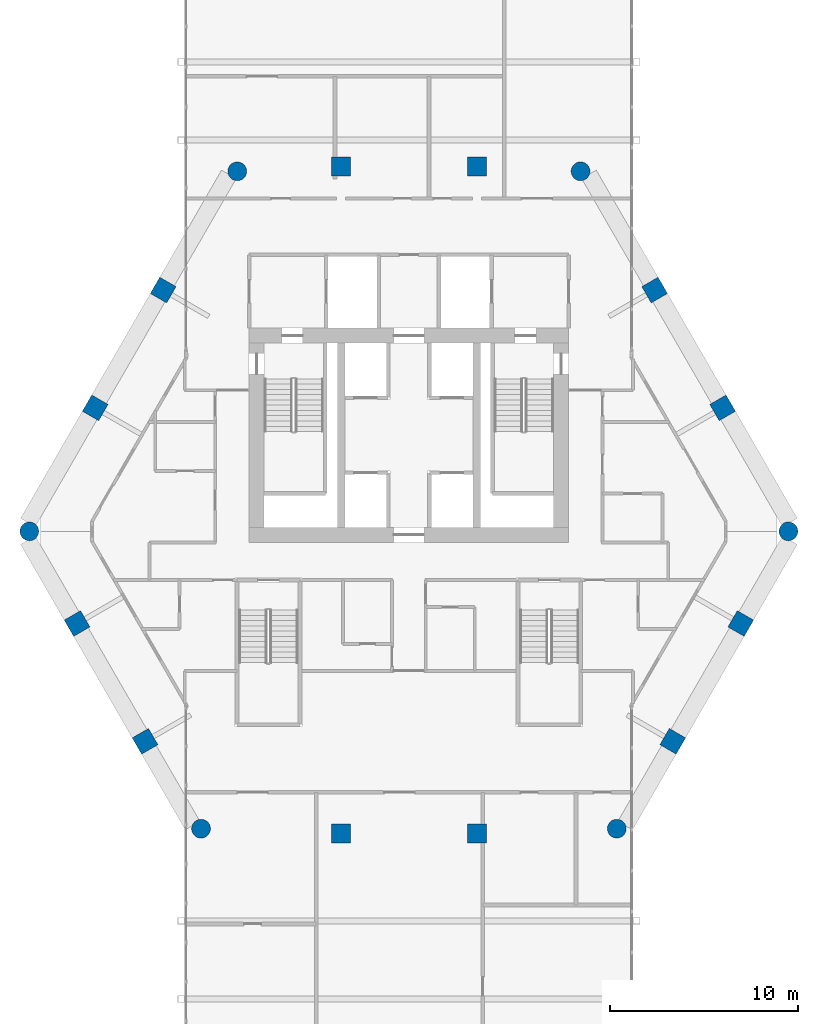
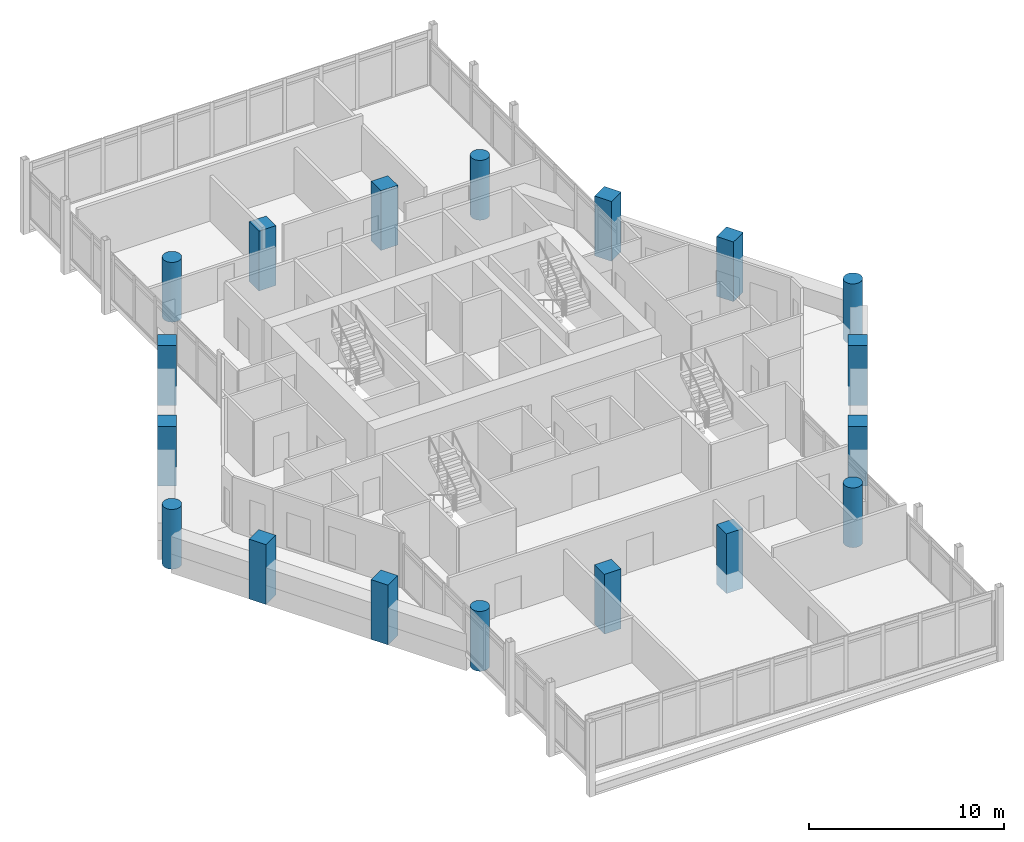
# One storey, part 1 of 29: 18 columns.
"""IFC4 building model written with IfcOpenShell, lengths in metres."""

from ifc_helpers import new_model, si_unit, direction, frame, origin, origin_2d, place, context, subcontext, project, spatial, rectangle, circle, extrude, material, material_profile, profile_set, type_object, element, save


model = new_model("IFC4")

# Units and contexts
model_context = context("Model", 3, precision=1e-05, world=origin(), true_north=direction((0.0, 1.0)))
body_context = subcontext(model_context, "Body", "Model", "MODEL_VIEW")
ifc_project = project(units=[si_unit("LENGTHUNIT", "METRE"), si_unit("AREAUNIT", "SQUARE_METRE"), si_unit("VOLUMEUNIT", "CUBIC_METRE"), si_unit("PLANEANGLEUNIT", "RADIAN"), si_unit("MASSUNIT", "GRAM", prefix="KILO")], contexts=[model_context])

# Site, building, storey
site_placement = place(None, origin())
site = spatial("IfcSite", under=ifc_project, at=site_placement, CompositionType="ELEMENT")
building_placement = place(site_placement, origin())
building = spatial("IfcBuilding", under=site, at=building_placement, Name="Ostrander Bayou Hotel Tower", CompositionType="ELEMENT")
storey_placement = place(building_placement, frame((0.0, 0.0, 205.75)))
storey = spatial("IfcBuildingStorey", under=building, at=storey_placement, Name="L51", CompositionType="ELEMENT", Elevation=205.75)

# Columns
ifc_material_1 = material(Name="Concrete f'c 60 MPa", Category="concrete")
ifc_material_profile_1 = material_profile(ifc_material_1, circle(Radius=0.5, at=origin_2d()))
ifc_profile_set_1 = profile_set([ifc_material_profile_1], Name="Concrete f'c 60 MPa")
column_type_1 = type_object("IfcColumnType", Name="C5 round column 1000 mm f'c 60 MPa", PredefinedType="COLUMN", material=ifc_profile_set_1)
for number, where, z_axis, x_axis, name in (
    (1, (-9.133544921875, 18.04541015625, -1.199951171875), (0.0, 0.0, 1.0), (1.0, 0.0, 0.0), "C5 L51 K0"),
    (2, (-20.194580078125, -1.11279296875, -1.199951171875), (0.0, 0.0, 1.0), (1.0, 0.0, 0.0), "C5 L51 K1"),
    (3, (-11.06103515625, -16.9326171875, -1.199951171875), (0.0, 0.0, 1.0), (1.0, 0.0, 0.0), "C5 L51 K2"),
    (4, (11.06103515625, -16.9326171875, -1.199951171875), (0.0, 0.0, 1.0), (1.0, 0.0, 0.0), "C5 L51 K3"),
    (5, (20.194580078125, -1.11279296875, -1.199951171875), (0.0, 0.0, 1.0), (1.0, 0.0, 0.0), "C5 L51 K4"),
    (6, (9.133544921875, 18.04541015625, -1.199951171875), (0.0, 0.0, 1.0), (1.0, 0.0, 0.0), "C5 L51 K5"),
):
    element("IfcColumn", number, at=place(storey_placement, frame(where, z_axis=z_axis, x_axis=x_axis)), inside=storey, type_object=column_type_1, Name=name, PredefinedType="COLUMN", context=body_context, shape_type="SweptSolid", body=[
        extrude(circle(Radius=0.5, at=origin_2d()), origin(), (0.0, 0.0, 1.0), 3.75),
    ])
ifc_material_2 = material(Name="Concrete f'c 60 MPa", Category="concrete")
ifc_material_profile_2 = material_profile(ifc_material_2, rectangle(XDim=1.0, YDim=1.0, at=origin_2d()))
ifc_profile_set_2 = profile_set([ifc_material_profile_2], Name="Concrete f'c 60 MPa")
column_type_2 = type_object("IfcColumnType", Name="C6 square column 1000 x 1000 mm f'c 60 MPa", PredefinedType="COLUMN", material=ifc_profile_set_2)
for number, where, z_axis, x_axis, name in (
    (7, (3.6181640625, 18.300048828125, -1.199951171875), (0.0, 0.0, 1.0), (1.0, 0.0, 0.0), "C6 L51 N1"),
    (8, (-3.6181640625, 18.300048828125, -1.199951171875), (0.0, 0.0, 1.0), (1.0, 0.0, 0.0), "C6 L51 N2"),
    (9, (-13.075439453125, 11.726806640625, -1.199951171875), (0.0, 0.0, 1.0), (0.5, 0.866025403784, 0.0), "C6 L51 NW1"),
    (10, (-16.693603515625, 5.460205078125, -1.199951171875), (0.0, 0.0, 1.0), (0.5, 0.866025403784, 0.0), "C6 L51 NW2"),
    (11, (-17.6572265625, -6.0166015625, -1.199951171875), (0.0, 0.0, 1.0), (-0.5, 0.866025403784, 0.0), "C6 L51 SW1"),
    (12, (-14.039306640625, -12.283203125, -1.199951171875), (0.0, 0.0, 1.0), (-0.5, 0.866025403784, 0.0), "C6 L51 SW2"),
    (13, (-3.6181640625, -17.187255859375, -1.199951171875), (0.0, 0.0, 1.0), (-1.0, 0.0, 0.0), "C6 L51 S1"),
    (14, (3.6181640625, -17.187255859375, -1.199951171875), (0.0, 0.0, 1.0), (-1.0, 0.0, 0.0), "C6 L51 S2"),
    (15, (14.039306640625, -12.283203125, -1.199951171875), (0.0, 0.0, 1.0), (-0.5, -0.866025403784, 0.0), "C6 L51 SE1"),
    (16, (17.6572265625, -6.0166015625, -1.199951171875), (0.0, 0.0, 1.0), (-0.5, -0.866025403784, 0.0), "C6 L51 SE2"),
    (17, (16.693603515625, 5.460205078125, -1.199951171875), (0.0, 0.0, 1.0), (0.5, -0.866025403784, 0.0), "C6 L51 NE1"),
    (18, (13.075439453125, 11.726806640625, -1.199951171875), (0.0, 0.0, 1.0), (0.5, -0.866025403784, 0.0), "C6 L51 NE2"),
):
    element("IfcColumn", number, at=place(storey_placement, frame(where, z_axis=z_axis, x_axis=x_axis)), inside=storey, type_object=column_type_2, Name=name, PredefinedType="COLUMN", context=body_context, shape_type="SweptSolid", body=[
        extrude(rectangle(XDim=1.0, YDim=1.0, at=origin_2d()), origin(), (0.0, 0.0, 1.0), 3.75),
    ])

save(model, "model.ifc")
